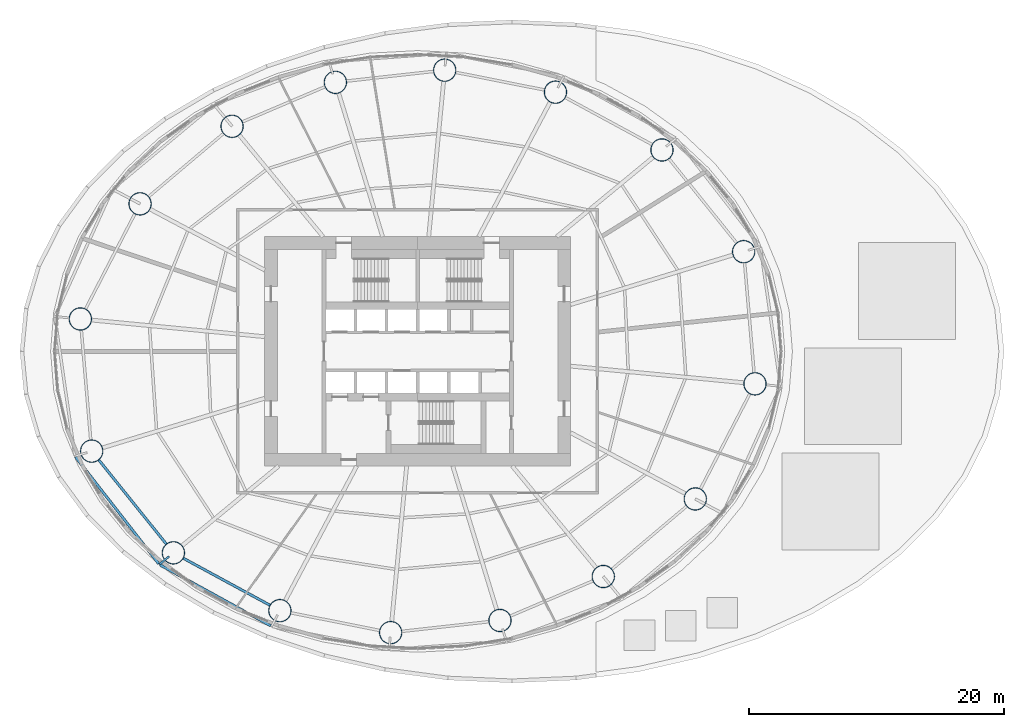
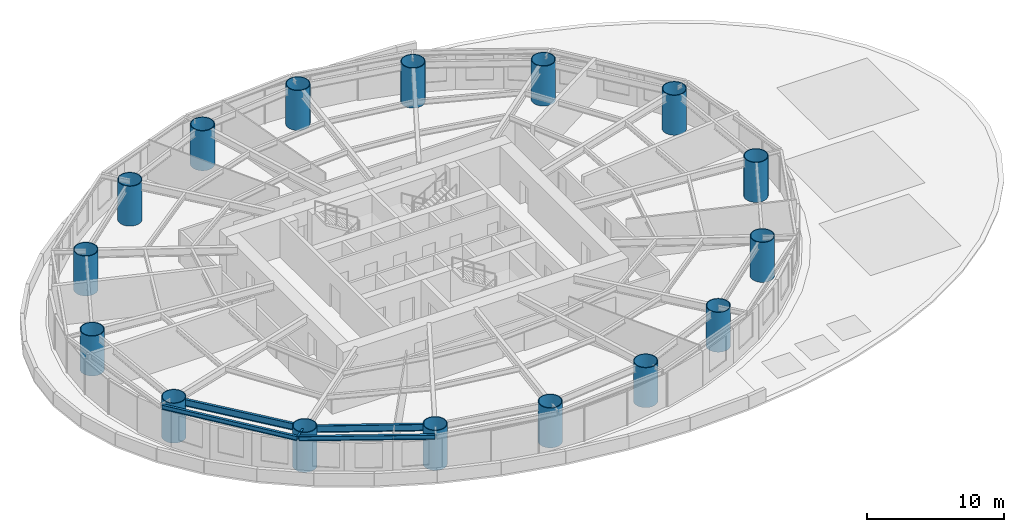
# One storey, part 1 of 11: 16 columns, 5 beams.
"""IFC4 building model written with IfcOpenShell, lengths in metres."""

from ifc_helpers import new_model, si_unit, direction, frame, origin, origin_2d, place, context, subcontext, project, spatial, hollow_circle, i_section, extrude, material, material_profile, profile_set, type_object, element, save


model = new_model("IFC4")

# Units and contexts
model_context = context("Model", 3, precision=1e-05, world=origin(), true_north=direction((0.0, 1.0)))
body_context = subcontext(model_context, "Body", "Model", "MODEL_VIEW")
ifc_project = project(units=[si_unit("LENGTHUNIT", "METRE"), si_unit("AREAUNIT", "SQUARE_METRE"), si_unit("VOLUMEUNIT", "CUBIC_METRE"), si_unit("PLANEANGLEUNIT", "RADIAN"), si_unit("MASSUNIT", "GRAM", prefix="KILO")], contexts=[model_context])

# Site, building, storey
site_placement = place(None, origin())
site = spatial("IfcSite", under=ifc_project, at=site_placement, CompositionType="ELEMENT")
building_placement = place(site_placement, origin())
building = spatial("IfcBuilding", under=site, at=building_placement, Name="Vermilion Reach Broadcast Tower", CompositionType="ELEMENT")
storey_placement = place(building_placement, frame((0.0, 0.0, 36.0)))
storey = spatial("IfcBuildingStorey", under=building, at=storey_placement, Name="L05", CompositionType="ELEMENT", Elevation=36.0)

# Columns
ifc_material_1 = material(Name="Concrete C80 infill in steel S460NL tube", Category="concrete")
ifc_material_profile_1 = material_profile(ifc_material_1, hollow_circle(Radius=0.89990234375, WallThickness=0.06005859375, at=origin_2d()), Name="Concrete C80 infill in steel S460NL tube CFT 1800x60")
ifc_profile_set_1 = profile_set([ifc_material_profile_1], Name="Concrete C80 infill in steel S460NL tube")
column_type = type_object("IfcColumnType", Name="MC1 CFT 1800x60", PredefinedType="COLUMN", material=ifc_profile_set_1)
for number, where, z_axis, x_axis, name in (
    (1, (19.575439453125, 7.823974609375, 0.0), (0.0, 0.0, 1.0), (1.0, 0.0, 0.0), "Mega-column MC1-01"),
    (2, (13.166259765625, 15.804931640625, 0.0), (0.0, 0.0, 1.0), (1.0, 0.0, 0.0), "Mega-column MC1-02"),
    (3, (4.809814453125, 20.3388671875, 0.0), (0.0, 0.0, 1.0), (1.0, 0.0, 0.0), "Mega-column MC1-03"),
    (4, (-3.87939453125, 22.06396484375, 0.0), (0.0, 0.0, 1.0), (1.0, 0.0, 0.0), "Mega-column MC1-04"),
    (5, (-12.45751953125, 21.108154296875, 0.0), (0.0, 0.0, 1.0), (1.0, 0.0, 0.0), "Mega-column MC1-05"),
    (6, (-20.563232421875, 17.660400390625, 0.0), (0.0, 0.0, 1.0), (1.0, 0.0, 0.0), "Mega-column MC1-06"),
    (7, (-27.77978515625, 11.57568359375, 0.0), (0.0, 0.0, 1.0), (1.0, 0.0, 0.0), "Mega-column MC1-07"),
    (8, (-32.464111328125, 2.54345703125, 0.0), (0.0, 0.0, 1.0), (1.0, 0.0, 0.0), "Mega-column MC1-08"),
    (9, (-31.575439453125, -7.823974609375, 0.0), (0.0, 0.0, 1.0), (1.0, 0.0, 0.0), "Mega-column MC1-09"),
    (10, (-25.166259765625, -15.804931640625, 0.0), (0.0, 0.0, 1.0), (1.0, 0.0, 0.0), "Mega-column MC1-10"),
    (11, (-16.809814453125, -20.3388671875, 0.0), (0.0, 0.0, 1.0), (1.0, 0.0, 0.0), "Mega-column MC1-11"),
    (12, (-8.12060546875, -22.06396484375, 0.0), (0.0, 0.0, 1.0), (1.0, 0.0, 0.0), "Mega-column MC1-12"),
    (13, (0.45751953125, -21.108154296875, 0.0), (0.0, 0.0, 1.0), (1.0, 0.0, 0.0), "Mega-column MC1-13"),
    (14, (8.563232421875, -17.660400390625, 0.0), (0.0, 0.0, 1.0), (1.0, 0.0, 0.0), "Mega-column MC1-14"),
    (15, (15.77978515625, -11.57568359375, 0.0), (0.0, 0.0, 1.0), (1.0, 0.0, 0.0), "Mega-column MC1-15"),
    (16, (20.464111328125, -2.54345703125, 0.0), (0.0, 0.0, 1.0), (1.0, 0.0, 0.0), "Mega-column MC1-16"),
):
    element("IfcColumn", number, at=place(storey_placement, frame(where, z_axis=z_axis, x_axis=x_axis)), inside=storey, type_object=column_type, Name=name, PredefinedType="COLUMN", context=body_context, shape_type="SweptSolid", body=[
        extrude(hollow_circle(Radius=0.89990234375, WallThickness=0.06005859375, at=origin_2d()), origin(), (0.0, 0.0, 1.0), 3.550048828125),
    ])

# Beams
ifc_material_2 = material(Name="Steel S355J2", Category="steel")
ifc_material_profile_2 = material_profile(ifc_material_2, i_section(OverallWidth=0.199951171875, OverallDepth=0.39990234375, WebThickness=0.008056640625, FlangeThickness=0.012939453125, at=origin_2d()), Name="S355J2 HN 400x200x8x13")
ifc_profile_set_2 = profile_set([ifc_material_profile_2], Name="Steel S355J2")
beam_type_1 = type_object("IfcBeamType", Name="EB1 HN 400x200x8x13", PredefinedType="BEAM", material=ifc_profile_set_2)
beam_1_placement = place(storey_placement, frame((-32.8369140625, -8.288330078125, 3.35009765625), z_axis=(0.614318139098, -0.789058441419, 0.0), x_axis=(0.789058441419, 0.614318139098, 0.0)))
element("IfcBeam", 17, at=beam_1_placement, inside=storey, type_object=beam_type_1, Name="Edge beam EB1-09", PredefinedType="BEAM", context=body_context, shape_type="SweptSolid", body=[
    extrude(i_section(OverallWidth=0.199951171875, OverallDepth=0.39990234375, WebThickness=0.008056640625, FlangeThickness=0.012939453125, at=origin_2d()), origin(), (0.0, 0.0, 1.0), 10.608642578125),
])
beam_2_placement = place(storey_placement, frame((-26.203125, -16.75732421875, 3.35009765625), z_axis=(0.876134163844, -0.482067346898, 0.0), x_axis=(0.482067346898, 0.876134163844, 0.0)))
element("IfcBeam", 18, at=beam_2_placement, inside=storey, type_object=beam_type_1, Name="Edge beam EB1-10", PredefinedType="BEAM", context=body_context, shape_type="SweptSolid", body=[
    extrude(i_section(OverallWidth=0.199951171875, OverallDepth=0.39990234375, WebThickness=0.008056640625, FlangeThickness=0.012939453125, at=origin_2d()), origin(), (0.0, 0.0, 1.0), 9.901611328125),
])
ifc_material_3 = material(Name="Steel S355J2", Category="steel")
ifc_material_profile_3 = material_profile(ifc_material_3, i_section(OverallWidth=0.14990234375, OverallDepth=0.300048828125, WebThickness=0.006591796875, FlangeThickness=0.009033203125, at=origin_2d()), Name="S355J2 HN 300x150x6.5x9")
ifc_profile_set_3 = profile_set([ifc_material_profile_3], Name="Steel S355J2")
beam_type_2 = type_object("IfcBeamType", Name="GS1 HN 300x150x6.5x9", PredefinedType="BEAM", material=ifc_profile_set_3)
beam_3_placement = place(storey_placement, frame((-25.502197265625, -16.08203125, 3.39990234375), z_axis=(-0.771493112118, -0.636237674108, 0.0), x_axis=(0.636237674108, -0.771493112118, 0.0)))
element("IfcBeam", 19, at=beam_3_placement, inside=storey, type_object=beam_type_2, Name="Cantilever stub GS1-10", PredefinedType="BEAM", context=body_context, shape_type="SweptSolid", body=[
    extrude(i_section(OverallWidth=0.14990234375, OverallDepth=0.300048828125, WebThickness=0.006591796875, FlangeThickness=0.009033203125, at=origin_2d()), origin(), (0.0, 0.0, 1.0), 1.0),
])
ifc_material_4 = material(Name="Steel S355J2", Category="steel")
ifc_material_profile_4 = material_profile(ifc_material_4, i_section(OverallWidth=0.199951171875, OverallDepth=0.60009765625, WebThickness=0.010986328125, FlangeThickness=0.01708984375, at=origin_2d()), Name="S355J2 HN 600x200x11x17")
ifc_profile_set_4 = profile_set([ifc_material_profile_4], Name="Steel S355J2")
beam_type_3 = type_object("IfcBeamType", Name="RB1 HN 600x200x11x17", PredefinedType="BEAM", material=ifc_profile_set_4)
beam_4_placement = place(storey_placement, frame((-31.011962890625, -8.52587890625, 3.25), z_axis=(0.626162157191, -0.779692858055, 0.0), x_axis=(0.779692858055, 0.626162157191, 0.0)))
element("IfcBeam", 20, at=beam_4_placement, inside=storey, type_object=beam_type_3, Name="Ring beam RB1-09", PredefinedType="BEAM", context=body_context, shape_type="SweptSolid", body=[
    extrude(i_section(OverallWidth=0.199951171875, OverallDepth=0.60009765625, WebThickness=0.010986328125, FlangeThickness=0.01708984375, at=origin_2d()), origin(), (0.0, 0.0, 1.0), 8.435791015625),
])
beam_5_placement = place(storey_placement, frame((-24.375244140625, -16.234130859375, 3.25), z_axis=(0.878962319551, -0.476891225344, 0.0), x_axis=(0.476891225344, 0.878962319551, 0.0)))
element("IfcBeam", 21, at=beam_5_placement, inside=storey, type_object=beam_type_3, Name="Ring beam RB1-10", PredefinedType="BEAM", context=body_context, shape_type="SweptSolid", body=[
    extrude(i_section(OverallWidth=0.199951171875, OverallDepth=0.60009765625, WebThickness=0.010986328125, FlangeThickness=0.01708984375, at=origin_2d()), origin(), (0.0, 0.0, 1.0), 7.707275390625),
])

save(model, "model.ifc")
